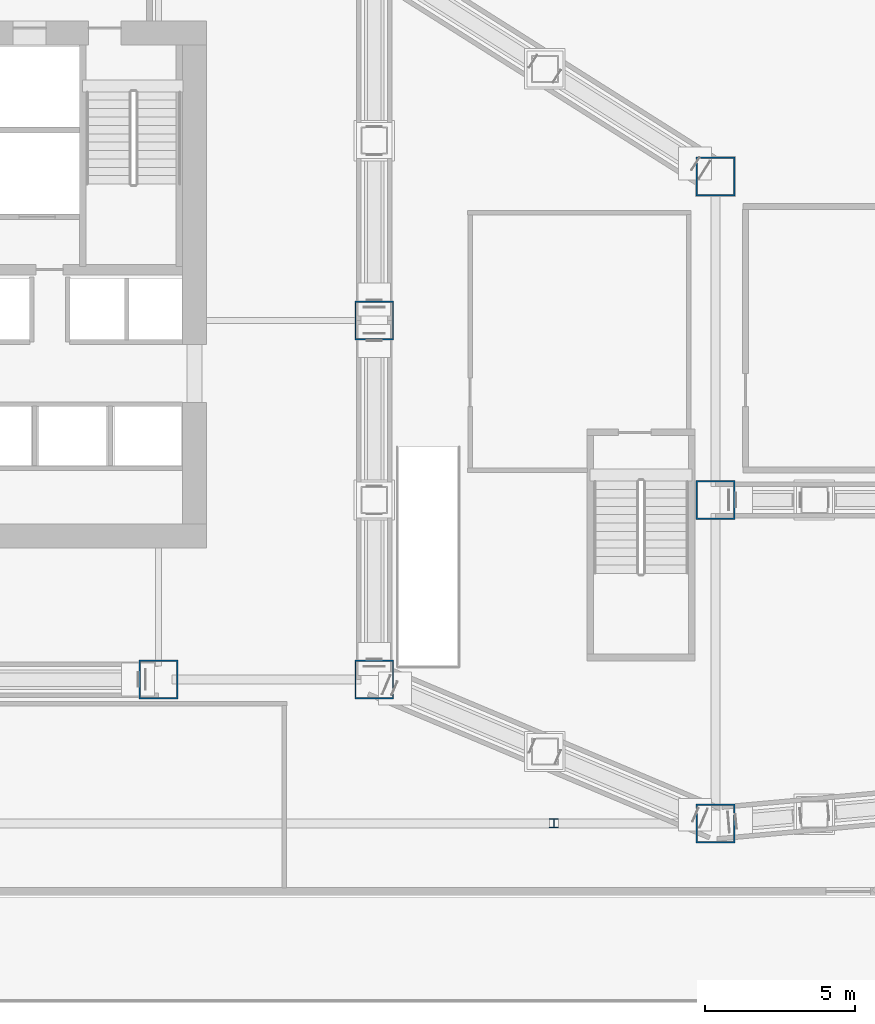
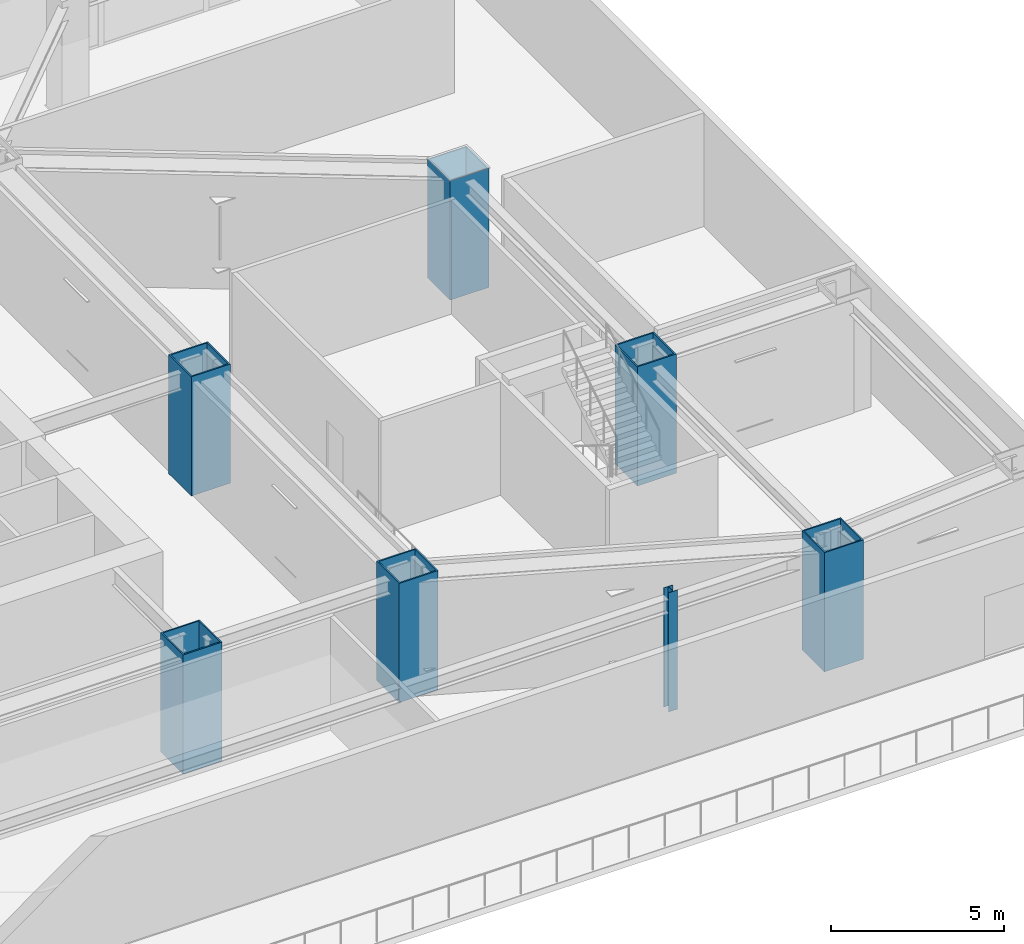
# One storey, part 2 of 39: 7 columns.
"""IFC4 building model written with IfcOpenShell, lengths in metres."""

import ifcopenshell
import ifcopenshell.guid

model = None  # the IFC model being written
_history = None  # IfcOwnerHistory: only IFC2X3 demands one
_inside = {}  # id of a spatial element -> (the spatial element, [elements in it])
_under = {}  # id of a project, library or spatial element -> (it, [spatial elements below it])
_declared = {}  # id of a project -> (the project, [libraries it declares])
_typed = {}  # id of a type object -> (the type object, [elements of that type])
_made_of = {}  # id of a material, layer set ... -> (it, [elements and type objects made of it])


def new_model(schema):
    """Start an empty IFC model of exactly this schema.

    Asked for "IFC4X3", IfcOpenShell would pick the latest addendum, in which some entities
    have other attributes; the version numbers below select the first issue.
    IFC2X3 requires an IfcOwnerHistory on every rooted entity: one is made here for all.
    """
    global model, _history
    if schema == "IFC4X3":
        model = ifcopenshell.file(schema_version=(4, 3, 0, 0))
    else:
        model = ifcopenshell.file(schema=schema)
    _inside.clear()
    _under.clear()
    _declared.clear()
    _typed.clear()
    _made_of.clear()
    _history = None
    if model.schema == "IFC2X3":
        org = make("IfcOrganization", Name="unknown")
        user = make(
            "IfcPersonAndOrganization",
            ThePerson=make("IfcPerson", FamilyName="unknown"),
            TheOrganization=org,
        )
        app = make(
            "IfcApplication",
            ApplicationDeveloper=org,
            Version="unknown",
            ApplicationFullName="unknown",
            ApplicationIdentifier="unknown",
        )
        _history = make(
            "IfcOwnerHistory",
            OwningUser=user,
            OwningApplication=app,
            ChangeAction="ADDED",
            CreationDate=0,
        )
    return model


def make(cls, **values):
    """One entity of the class cls with the attributes given. An attribute that is None is left unset."""
    return model.create_entity(
        cls, **{name: value for name, value in values.items() if value is not None}
    )


def rooted(cls, **values):
    """An entity with a GlobalId (a new one), such as an element, a storey or a relation."""
    return make(cls, GlobalId=ifcopenshell.guid.new(), OwnerHistory=_history, **values)


def si_unit(unit_type, name, prefix=None):
    """IfcSIUnit, for example si_unit("LENGTHUNIT", "METRE", prefix="MILLI")."""
    return make("IfcSIUnit", UnitType=unit_type, Prefix=prefix, Name=name)


def assignment(units):
    """IfcUnitAssignment: the units of a project."""
    return None if units is None else make("IfcUnitAssignment", Units=units)


def point(xyz):
    """IfcCartesianPoint."""
    return None if xyz is None else make("IfcCartesianPoint", Coordinates=xyz)


def direction(xyz):
    """IfcDirection."""
    return None if xyz is None else make("IfcDirection", DirectionRatios=xyz)


def frame(location, z_axis=None, x_axis=None):
    """IfcAxis2Placement3D, a coordinate frame: its origin and axes. An axis left out is left unset."""
    return make(
        "IfcAxis2Placement3D",
        Location=point(location),
        Axis=direction(z_axis),
        RefDirection=direction(x_axis),
    )


def frame_2d(location, x_axis=None):
    """IfcAxis2Placement2D, a coordinate frame in the plane: its origin and x axis."""
    return make(
        "IfcAxis2Placement2D", Location=point(location), RefDirection=direction(x_axis)
    )


def origin():
    """The frame at (0, 0, 0) with its axes left unset."""
    return frame((0.0, 0.0, 0.0))


def origin_2d():
    """The frame at (0, 0) in the plane with its x axis left unset."""
    return frame_2d((0.0, 0.0))


def place(relative_to, where):
    """IfcLocalPlacement: puts the frame where relative to a parent placement (None: the world)."""
    return make(
        "IfcLocalPlacement", PlacementRelTo=relative_to, RelativePlacement=where
    )


def context(
    kind, dimensions, precision=None, world=None, true_north=None, identifier=None
):
    """IfcGeometricRepresentationContext, for example the 3D "Model" context."""
    return make(
        "IfcGeometricRepresentationContext",
        ContextIdentifier=identifier,
        ContextType=kind,
        CoordinateSpaceDimension=dimensions,
        Precision=precision,
        WorldCoordinateSystem=world,
        TrueNorth=true_north,
    )


def subcontext(parent, identifier, kind, view, scale=None):
    """IfcGeometricRepresentationSubContext, for example "Body" below "Model"."""
    return make(
        "IfcGeometricRepresentationSubContext",
        ContextIdentifier=identifier,
        ContextType=kind,
        ParentContext=parent,
        TargetScale=scale,
        TargetView=view,
    )


def project(units=None, contexts=None):
    """IfcProject with its units and contexts."""
    return rooted(
        "IfcProject",
        Name="project",
        RepresentationContexts=contexts,
        UnitsInContext=assignment(units),
    )


def spatial(cls, under=None, at=None, **own):
    """A site, building, storey or space (cls), placed at a placement, below another one or the project."""
    s = rooted(cls, ObjectPlacement=at, **own)
    if under is not None:
        _under.setdefault(under.id(), (under, []))[1].append(s)
    return s


def profile(cls, at=None, kind="AREA", **sizes):
    """A parametric profile (cls). Its sizes go by their IFC names, for example OverallWidth=200.0."""
    return make(cls, ProfileType=kind, Position=at, **sizes)


def hollow_rectangle(**sizes):
    """IfcRectangleHollowProfileDef."""
    return profile("IfcRectangleHollowProfileDef", **sizes)


def i_section(**sizes):
    """IfcIShapeProfileDef."""
    return profile("IfcIShapeProfileDef", **sizes)


def extrude(swept, where, along, depth):
    """IfcExtrudedAreaSolid: the profile swept, set in the frame where, extruded along a direction by depth."""
    return make(
        "IfcExtrudedAreaSolid",
        SweptArea=swept,
        Position=where,
        ExtrudedDirection=direction(along),
        Depth=depth,
    )


def shape(context_of_items, identifier, shape_type, items):
    """IfcShapeRepresentation: the items that make up one representation, for example the "Body"."""
    return make(
        "IfcShapeRepresentation",
        ContextOfItems=context_of_items,
        RepresentationIdentifier=identifier,
        RepresentationType=shape_type,
        Items=items,
    )


def material(Name=None, Category=None):
    """IfcMaterial."""
    return make("IfcMaterial", Name=Name, Category=Category)


def material_profile(
    of_material, cross_section, Name=None, Category=None, Priority=None
):
    """IfcMaterialProfile: a cross section and its material."""
    return make(
        "IfcMaterialProfile",
        Name=Name,
        Material=of_material,
        Profile=cross_section,
        Priority=Priority,
        Category=Category,
    )


def profile_set(profiles, Name=None, composite=None):
    """IfcMaterialProfileSet."""
    return make(
        "IfcMaterialProfileSet",
        Name=Name,
        MaterialProfiles=profiles,
        CompositeProfile=composite,
    )


def made_of(thing, what):
    """Note that an element or type object is made of a material, layer set ...; save() writes the relation."""
    if what is not None:
        _made_of.setdefault(what.id(), (what, []))[1].append(thing)
    return thing


def type_object(cls, material=None, **own):
    """A type object (cls), such as IfcWallType, which elements share."""
    return made_of(rooted(cls, **own), material)


def element(
    cls,
    number,
    at=None,
    inside=None,
    cuts=None,
    type_object=None,
    material=None,
    context=None,
    identifier="Body",
    shape_type=None,
    held_by="IfcProductDefinitionShape",
    body=None,
    shapes=None,
    **own,
):
    """One element of the class cls, such as IfcWall. Its Tag is "e" and its number.

    at: its placement. inside: the storey or other place that contains it. cuts: it is an
    opening in that element (IfcRelVoidsElement). A single representation is given by context,
    identifier, shape_type and body (its items); several are given by shapes. held_by: the class
    of the entity that holds the representations. save() writes the other relations.
    """
    e = rooted(cls, Tag="e%d" % number, ObjectPlacement=at, **own)
    if body is not None:
        shapes = [shape(context, identifier, shape_type, body)]
    if shapes is not None:
        e.Representation = make(held_by, Representations=shapes)
    if inside is not None:
        _inside.setdefault(inside.id(), (inside, []))[1].append(e)
    if cuts is not None:
        rooted(
            "IfcRelVoidsElement", RelatingBuildingElement=cuts, RelatedOpeningElement=e
        )
    if type_object is not None:
        _typed.setdefault(type_object.id(), (type_object, []))[1].append(e)
    return made_of(e, material)


def aggregate(whole, parts):
    """IfcRelAggregates: a whole, such as a stair, and the parts it consists of."""
    return rooted("IfcRelAggregates", RelatingObject=whole, RelatedObjects=parts)


def save(model, path):
    """Write the relations noted so far, then the file.

    IfcRelAggregates (storeys below a building ...), IfcRelContainedInSpatialStructure (elements
    in a storey), IfcRelDefinesByType, IfcRelAssociatesMaterial and IfcRelDeclares: one each for
    every whole, place, type object, material and project.
    """
    for whole, parts in _under.values():
        aggregate(whole, parts)
    for where, things in _inside.values():
        rooted(
            "IfcRelContainedInSpatialStructure",
            RelatedElements=things,
            RelatingStructure=where,
        )
    for kind, things in _typed.values():
        rooted("IfcRelDefinesByType", RelatedObjects=things, RelatingType=kind)
    for what, things in _made_of.values():
        rooted("IfcRelAssociatesMaterial", RelatedObjects=things, RelatingMaterial=what)
    for by, libraries in _declared.values():
        rooted("IfcRelDeclares", RelatingContext=by, RelatedDefinitions=libraries)
    model.write(path)


model = new_model("IFC4")

# Units and contexts
model_context = context("Model", 3, precision=1e-05, world=origin(), true_north=direction((0.0, 1.0)))
body_context = subcontext(model_context, "Body", "Model", "MODEL_VIEW")
ifc_project = project(units=[si_unit("LENGTHUNIT", "METRE"), si_unit("AREAUNIT", "SQUARE_METRE"), si_unit("VOLUMEUNIT", "CUBIC_METRE"), si_unit("PLANEANGLEUNIT", "RADIAN"), si_unit("MASSUNIT", "GRAM", prefix="KILO")], contexts=[model_context])

# Site, building, storey
site_placement = place(None, origin())
site = spatial("IfcSite", under=ifc_project, at=site_placement, CompositionType="ELEMENT")
building_placement = place(site_placement, origin())
building = spatial("IfcBuilding", under=site, at=building_placement, Name="Haolan Belvedere Tower", CompositionType="ELEMENT")
storey_placement = place(building_placement, frame((0.0, 0.0, 19.800048828125)))
storey = spatial("IfcBuildingStorey", under=building, at=storey_placement, Name="L04", CompositionType="ELEMENT", Elevation=19.800048828125)

# Columns
ifc_material = material(Name="Steel Q355B", Category="steel")
ifc_material_profile_1 = material_profile(ifc_material, hollow_rectangle(XDim=1.300048828125, YDim=1.300048828125, WallThickness=0.048095703125, at=origin_2d()), Name="Steel Q355B")
ifc_profile_set_1 = profile_set([ifc_material_profile_1], Name="Steel Q355B")
column_type_1 = type_object("IfcColumnType", Name="COL-BOX1300x1300x48", PredefinedType="COLUMN", material=ifc_profile_set_1)
for number, where, z_axis, x_axis, name in (
    (1, (52.800048828125, 21.60009765625, 0.0), (0.0, 0.0, 1.0), (1.0, 0.0, 0.0), "L04 column MC-T3-SE (BOX1300x1300x48)"),
    (2, (52.800048828125, 33.60009765625, 0.0), (0.0, 0.0, 1.0), (1.0, 0.0, 0.0), "L04 column MC-T3-ME (BOX1300x1300x48)"),
    (3, (45.60009765625, 21.60009765625, 0.0), (0.0, 0.0, 1.0), (1.0, 0.0, 0.0), "L04 column MC-T3-S2 (BOX1300x1300x48)"),
    (4, (64.199951171875, 16.800048828125, 0.0), (0.0, 0.0, 1.0), (1.0, 0.0, 0.0), "L04 column MC-T4-SE (BOX1300x1300x48)"),
    (5, (64.199951171875, 27.60009765625, 0.0), (0.0, 0.0, 1.0), (1.0, 0.0, 0.0), "L04 column MC-T4-ME (BOX1300x1300x48)"),
    (6, (64.199951171875, 38.39990234375, 0.0), (0.0, 0.0, 1.0), (1.0, 0.0, 0.0), "L04 column MC-T4-NE (BOX1300x1300x48)"),
):
    element("IfcColumn", number, at=place(storey_placement, frame(where, z_axis=z_axis, x_axis=x_axis)), inside=storey, type_object=column_type_1, Name=name, PredefinedType="COLUMN", context=body_context, shape_type="SweptSolid", body=[
        extrude(hollow_rectangle(XDim=1.300048828125, YDim=1.300048828125, WallThickness=0.048095703125, at=origin_2d()), origin(), (0.0, 0.0, 1.0), 4.199951171875),
    ])
ifc_material_profile_2 = material_profile(ifc_material, i_section(OverallWidth=0.300048828125, OverallDepth=0.300048828125, WebThickness=0.010009765625, FlangeThickness=0.014892578125, FilletRadius=0.01806640625, at=origin_2d()), Name="Steel Q355B")
ifc_profile_set_2 = profile_set([ifc_material_profile_2], Name="Steel Q355B")
column_type_2 = type_object("IfcColumnType", Name="COL-HW300x300x10x15", PredefinedType="COLUMN", material=ifc_profile_set_2)
column_placement = place(storey_placement, frame((58.800048828125, 16.800048828125, 0.0), z_axis=(0.0, 0.0, 1.0), x_axis=(1.0, 0.0, 0.0)))
element("IfcColumn", 7, at=column_placement, inside=storey, type_object=column_type_2, Name="L04 column PC-CS4-E (HW300x300x10x15)", PredefinedType="COLUMN", context=body_context, shape_type="SweptSolid", body=[
    extrude(i_section(OverallWidth=0.300048828125, OverallDepth=0.300048828125, WebThickness=0.010009765625, FlangeThickness=0.014892578125, FilletRadius=0.01806640625, at=origin_2d()), origin(), (0.0, 0.0, 1.0), 4.199951171875),
])

save(model, "model.ifc")
